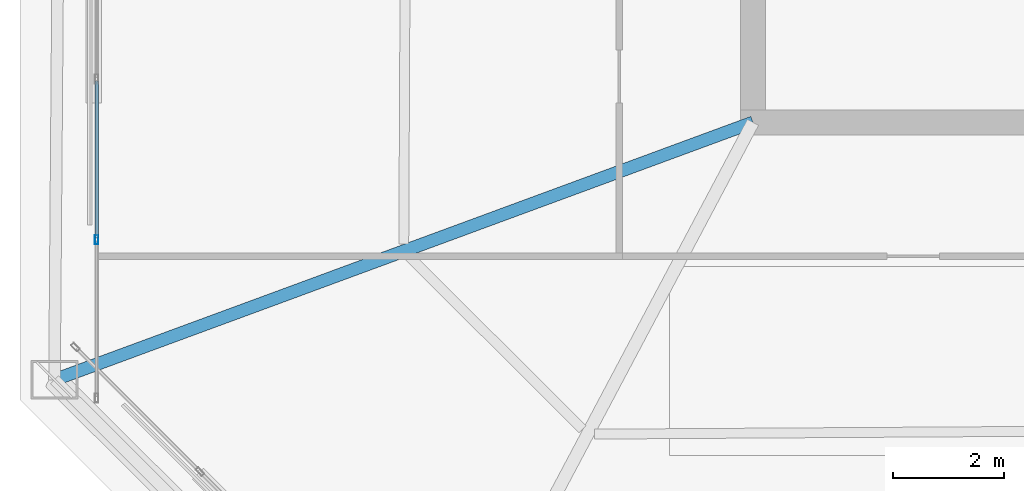
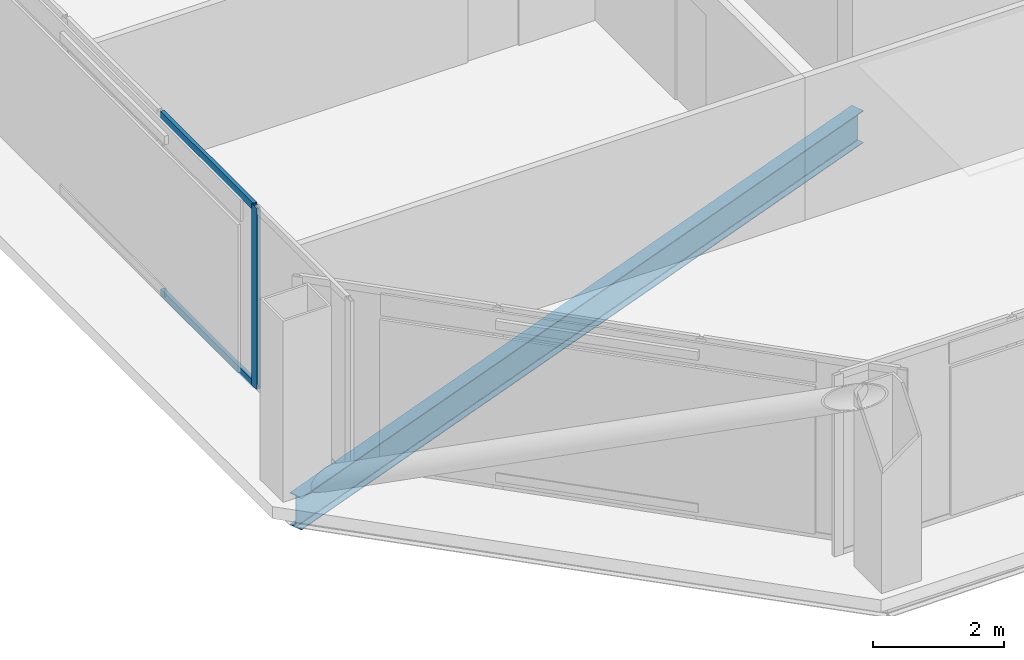
# One storey, part 7 of 39: 3 members, 1 beam, 1 element without a shape of its own.
"""IFC4 building model written with IfcOpenShell, lengths in metres."""

from ifc_helpers import new_model, si_unit, direction, frame, origin, origin_2d, place, context, subcontext, project, spatial, hollow_rectangle, i_section, extrude, material, layer, layer_set, material_profile, profile_set, type_object, element, aggregate, save


model = new_model("IFC4")

# Units and contexts
model_context = context("Model", 3, precision=1e-05, world=origin(), true_north=direction((0.0, 1.0)))
body_context = subcontext(model_context, "Body", "Model", "MODEL_VIEW")
ifc_project = project(units=[si_unit("LENGTHUNIT", "METRE"), si_unit("AREAUNIT", "SQUARE_METRE"), si_unit("VOLUMEUNIT", "CUBIC_METRE"), si_unit("PLANEANGLEUNIT", "RADIAN"), si_unit("MASSUNIT", "GRAM", prefix="KILO")], contexts=[model_context])

# Site, building, storey
site_placement = place(None, origin())
site = spatial("IfcSite", under=ifc_project, at=site_placement, CompositionType="ELEMENT")
building_placement = place(site_placement, origin())
building = spatial("IfcBuilding", under=site, at=building_placement, Name="Caelvoria Tower", CompositionType="ELEMENT")
storey_placement = place(building_placement, frame((0.0, 0.0, 198.60009765625)))
storey = spatial("IfcBuildingStorey", under=building, at=storey_placement, Name="L52", CompositionType="ELEMENT", Elevation=198.60009765625)

# Curtain wall, members
ifc_material_1 = material(Name="Anodised Bronze Aluminium and Low-E Glass", Category="aluminium")
ifc_layer = layer(ifc_material_1, 0.175048828125, Name="Anodised Bronze Aluminium and Low-E Glass")
ifc_layer_set = layer_set([ifc_layer], Name="CW System 4 High-Zone Tapered Crystal Facade - Anodised Bronze Aluminium and Low-E Glass")
curtain_wall_type = type_object("IfcCurtainWallType", Name="CW System 4 High-Zone Tapered Crystal Facade", PredefinedType="NOTDEFINED", material=ifc_layer_set)
curtain_wall_placement = place(storey_placement, origin())
curtain_wall = element("IfcCurtainWall", 1, at=curtain_wall_placement, inside=storey, type_object=curtain_wall_type, Name="CW-04 Curtain Wall L52-E6", PredefinedType="NOTDEFINED")
ifc_material_2 = material(Name="Anodised Bronze Architectural Aluminium", Category="aluminium")
ifc_material_profile_1 = material_profile(ifc_material_2, hollow_rectangle(XDim=0.06494140625, YDim=0.159912109375, WallThickness=0.00390625, at=origin_2d()), Name="Anodised Bronze Architectural Aluminium")
ifc_profile_set_1 = profile_set([ifc_material_profile_1], Name="CW_MULL_65X160 - Anodised Bronze Architectural Aluminium")
member_type_1 = type_object("IfcMemberType", Name="Curtain Wall Mullion 65x160 Bronze Aluminium", PredefinedType="MULLION", material=ifc_profile_set_1)
member_1_placement = place(storey_placement, frame((25.179931640625, 21.888916015625, 0.0), z_axis=(0.0, 0.0, 1.0), x_axis=(1.0, 0.0, 0.0)))
member_1 = element("IfcMember", 2, at=member_1_placement, type_object=member_type_1, Name="CW-04 mullion 9", PredefinedType="MULLION", context=body_context, shape_type="SweptSolid", body=[
    extrude(hollow_rectangle(XDim=0.06494140625, YDim=0.159912109375, WallThickness=0.00390625, at=origin_2d()), origin(), (0.0, 0.0, 1.0), 3.375),
])
ifc_material_profile_2 = material_profile(ifc_material_2, hollow_rectangle(XDim=0.06494140625, YDim=0.1298828125, WallThickness=0.00341796875, at=origin_2d()), Name="Anodised Bronze Architectural Aluminium")
ifc_profile_set_2 = profile_set([ifc_material_profile_2], Name="CW_TRAN_65X130 - Anodised Bronze Architectural Aluminium")
member_type_2 = type_object("IfcMemberType", Name="Curtain Wall Transom 65x130 Bronze Aluminium", PredefinedType="USERDEFINED", material=ifc_profile_set_2)
member_2_placement = place(storey_placement, frame((25.179931640625, 24.745361328125, 0.032470703125), z_axis=(0.0, -1.0, 0.0), x_axis=(1.0, 0.0, 0.0)))
member_2 = element("IfcMember", 3, at=member_2_placement, type_object=member_type_2, Name="CW-04 transom 8.1", ObjectType="TRANSOM", PredefinedType="USERDEFINED", context=body_context, shape_type="SweptSolid", body=[
    extrude(hollow_rectangle(XDim=0.06494140625, YDim=0.1298828125, WallThickness=0.00341796875, at=origin_2d()), origin(), (0.0, 0.0, 1.0), 2.823974609375),
])
member_3_placement = place(storey_placement, frame((25.179931640625, 24.745361328125, 3.34228515625), z_axis=(0.0, -1.0, 0.0), x_axis=(1.0, 0.0, 0.0)))
member_3 = element("IfcMember", 4, at=member_3_placement, type_object=member_type_2, Name="CW-04 transom 8.2", ObjectType="TRANSOM", PredefinedType="USERDEFINED", context=body_context, shape_type="SweptSolid", body=[
    extrude(hollow_rectangle(XDim=0.06494140625, YDim=0.1298828125, WallThickness=0.00341796875, at=origin_2d()), origin(), (0.0, 0.0, 1.0), 2.823974609375),
])
aggregate(curtain_wall, [member_1, member_2, member_3])

# Beam
ifc_material_3 = material(Name="Structural Steel ASTM A992 Gr.50", Category="steel")
ifc_material_profile_3 = material_profile(ifc_material_3, i_section(OverallWidth=0.22802734375, OverallDepth=0.60302734375, WebThickness=0.010498046875, FlangeThickness=0.014892578125, FilletRadius=0.01806640625, at=origin_2d()), Name="Structural Steel ASTM A992 Gr.50")
ifc_profile_set_3 = profile_set([ifc_material_profile_3], Name="W610X101 - Structural Steel ASTM A992 Gr.50")
beam_type = type_object("IfcBeamType", Name="Primary Floor Girder W610X101", PredefinedType="BEAM", material=ifc_profile_set_3)
beam_placement = place(storey_placement, frame((37.0, 24.0, -0.526611328125), z_axis=(-0.938294602718, -0.345837011483, 0.0), x_axis=(0.345837011483, -0.938294602718, 0.0)))
element("IfcBeam", 5, at=beam_placement, inside=storey, type_object=beam_type, Name="Primary Floor Girder L52-11", PredefinedType="BEAM", context=body_context, shape_type="SweptSolid", body=[
    extrude(i_section(OverallWidth=0.22802734375, OverallDepth=0.60302734375, WebThickness=0.010498046875, FlangeThickness=0.014892578125, FilletRadius=0.01806640625, at=origin_2d()), origin(), (0.0, 0.0, 1.0), 13.40576171875),
])

save(model, "model.ifc")
